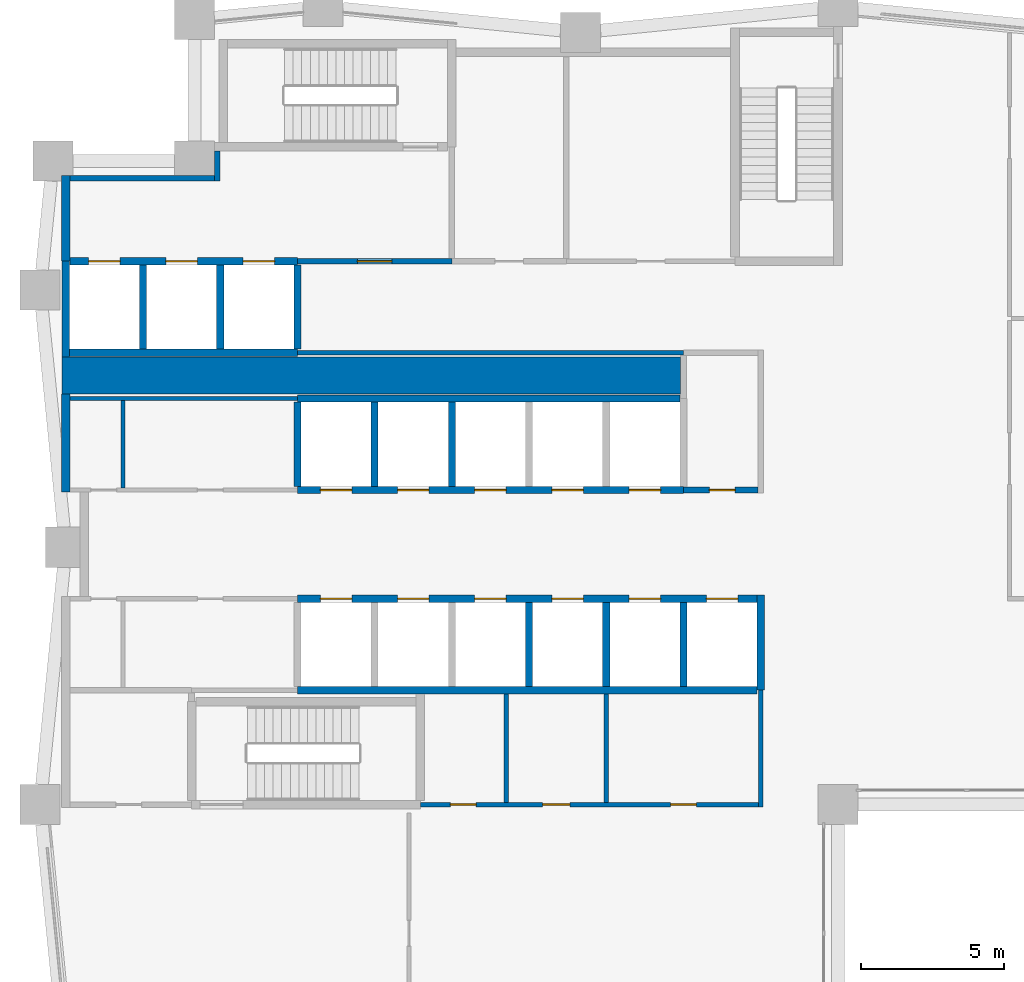
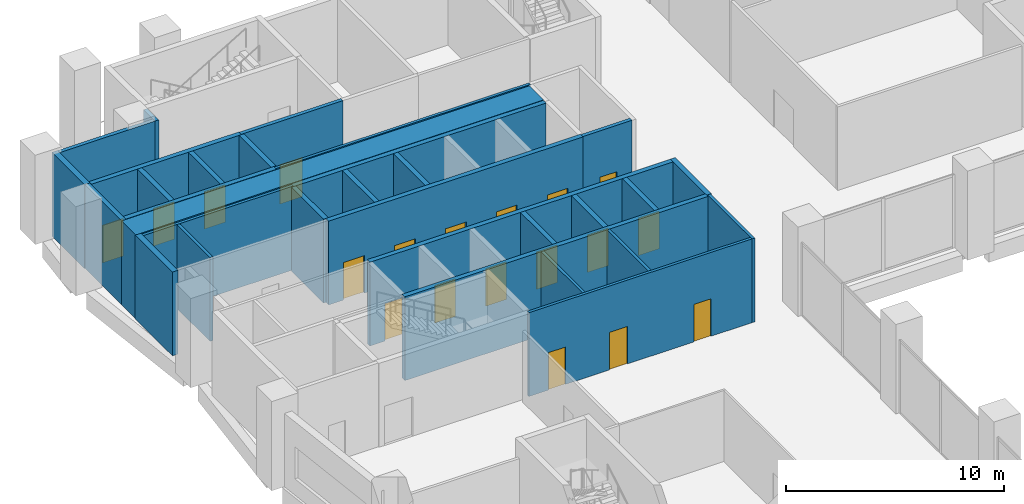
# One storey, part 11 of 17: 31 walls, 19 doors, 19 openings.
"""IFC4 building model written with IfcOpenShell, lengths in metres."""

import ifcopenshell
import ifcopenshell.guid

model = None  # the IFC model being written
_history = None  # IfcOwnerHistory: only IFC2X3 demands one
_inside = {}  # id of a spatial element -> (the spatial element, [elements in it])
_under = {}  # id of a project, library or spatial element -> (it, [spatial elements below it])
_declared = {}  # id of a project -> (the project, [libraries it declares])
_typed = {}  # id of a type object -> (the type object, [elements of that type])
_made_of = {}  # id of a material, layer set ... -> (it, [elements and type objects made of it])


def new_model(schema):
    """Start an empty IFC model of exactly this schema.

    Asked for "IFC4X3", IfcOpenShell would pick the latest addendum, in which some entities
    have other attributes; the version numbers below select the first issue.
    IFC2X3 requires an IfcOwnerHistory on every rooted entity: one is made here for all.
    """
    global model, _history
    if schema == "IFC4X3":
        model = ifcopenshell.file(schema_version=(4, 3, 0, 0))
    else:
        model = ifcopenshell.file(schema=schema)
    _inside.clear()
    _under.clear()
    _declared.clear()
    _typed.clear()
    _made_of.clear()
    _history = None
    if model.schema == "IFC2X3":
        org = make("IfcOrganization", Name="unknown")
        user = make(
            "IfcPersonAndOrganization",
            ThePerson=make("IfcPerson", FamilyName="unknown"),
            TheOrganization=org,
        )
        app = make(
            "IfcApplication",
            ApplicationDeveloper=org,
            Version="unknown",
            ApplicationFullName="unknown",
            ApplicationIdentifier="unknown",
        )
        _history = make(
            "IfcOwnerHistory",
            OwningUser=user,
            OwningApplication=app,
            ChangeAction="ADDED",
            CreationDate=0,
        )
    return model


def make(cls, **values):
    """One entity of the class cls with the attributes given. An attribute that is None is left unset."""
    return model.create_entity(
        cls, **{name: value for name, value in values.items() if value is not None}
    )


def rooted(cls, **values):
    """An entity with a GlobalId (a new one), such as an element, a storey or a relation."""
    return make(cls, GlobalId=ifcopenshell.guid.new(), OwnerHistory=_history, **values)


def si_unit(unit_type, name, prefix=None):
    """IfcSIUnit, for example si_unit("LENGTHUNIT", "METRE", prefix="MILLI")."""
    return make("IfcSIUnit", UnitType=unit_type, Prefix=prefix, Name=name)


def assignment(units):
    """IfcUnitAssignment: the units of a project."""
    return None if units is None else make("IfcUnitAssignment", Units=units)


def point(xyz):
    """IfcCartesianPoint."""
    return None if xyz is None else make("IfcCartesianPoint", Coordinates=xyz)


def direction(xyz):
    """IfcDirection."""
    return None if xyz is None else make("IfcDirection", DirectionRatios=xyz)


def frame(location, z_axis=None, x_axis=None):
    """IfcAxis2Placement3D, a coordinate frame: its origin and axes. An axis left out is left unset."""
    return make(
        "IfcAxis2Placement3D",
        Location=point(location),
        Axis=direction(z_axis),
        RefDirection=direction(x_axis),
    )


def frame_2d(location, x_axis=None):
    """IfcAxis2Placement2D, a coordinate frame in the plane: its origin and x axis."""
    return make(
        "IfcAxis2Placement2D", Location=point(location), RefDirection=direction(x_axis)
    )


def origin():
    """The frame at (0, 0, 0) with its axes left unset."""
    return frame((0.0, 0.0, 0.0))


def place(relative_to, where):
    """IfcLocalPlacement: puts the frame where relative to a parent placement (None: the world)."""
    return make(
        "IfcLocalPlacement", PlacementRelTo=relative_to, RelativePlacement=where
    )


def context(
    kind, dimensions, precision=None, world=None, true_north=None, identifier=None
):
    """IfcGeometricRepresentationContext, for example the 3D "Model" context."""
    return make(
        "IfcGeometricRepresentationContext",
        ContextIdentifier=identifier,
        ContextType=kind,
        CoordinateSpaceDimension=dimensions,
        Precision=precision,
        WorldCoordinateSystem=world,
        TrueNorth=true_north,
    )


def subcontext(parent, identifier, kind, view, scale=None):
    """IfcGeometricRepresentationSubContext, for example "Body" below "Model"."""
    return make(
        "IfcGeometricRepresentationSubContext",
        ContextIdentifier=identifier,
        ContextType=kind,
        ParentContext=parent,
        TargetScale=scale,
        TargetView=view,
    )


def project(units=None, contexts=None):
    """IfcProject with its units and contexts."""
    return rooted(
        "IfcProject",
        Name="project",
        RepresentationContexts=contexts,
        UnitsInContext=assignment(units),
    )


def spatial(cls, under=None, at=None, **own):
    """A site, building, storey or space (cls), placed at a placement, below another one or the project."""
    s = rooted(cls, ObjectPlacement=at, **own)
    if under is not None:
        _under.setdefault(under.id(), (under, []))[1].append(s)
    return s


def profile(cls, at=None, kind="AREA", **sizes):
    """A parametric profile (cls). Its sizes go by their IFC names, for example OverallWidth=200.0."""
    return make(cls, ProfileType=kind, Position=at, **sizes)


def rectangle(**sizes):
    """IfcRectangleProfileDef."""
    return profile("IfcRectangleProfileDef", **sizes)


def extrude(swept, where, along, depth):
    """IfcExtrudedAreaSolid: the profile swept, set in the frame where, extruded along a direction by depth."""
    return make(
        "IfcExtrudedAreaSolid",
        SweptArea=swept,
        Position=where,
        ExtrudedDirection=direction(along),
        Depth=depth,
    )


def shape(context_of_items, identifier, shape_type, items):
    """IfcShapeRepresentation: the items that make up one representation, for example the "Body"."""
    return make(
        "IfcShapeRepresentation",
        ContextOfItems=context_of_items,
        RepresentationIdentifier=identifier,
        RepresentationType=shape_type,
        Items=items,
    )


def material(Name=None, Category=None):
    """IfcMaterial."""
    return make("IfcMaterial", Name=Name, Category=Category)


def layer(
    of_material, thickness, ventilated=None, Name=None, Category=None, Priority=None
):
    """IfcMaterialLayer: one layer of a wall or slab, of a material (None: an air gap)."""
    return make(
        "IfcMaterialLayer",
        Material=of_material,
        LayerThickness=thickness,
        IsVentilated=ventilated,
        Name=Name,
        Category=Category,
        Priority=Priority,
    )


def layer_set(layers, Name=None):
    """IfcMaterialLayerSet."""
    return make("IfcMaterialLayerSet", MaterialLayers=layers, LayerSetName=Name)


def made_of(thing, what):
    """Note that an element or type object is made of a material, layer set ...; save() writes the relation."""
    if what is not None:
        _made_of.setdefault(what.id(), (what, []))[1].append(thing)
    return thing


def type_object(cls, material=None, **own):
    """A type object (cls), such as IfcWallType, which elements share."""
    return made_of(rooted(cls, **own), material)


def element(
    cls,
    number,
    at=None,
    inside=None,
    cuts=None,
    type_object=None,
    material=None,
    context=None,
    identifier="Body",
    shape_type=None,
    held_by="IfcProductDefinitionShape",
    body=None,
    shapes=None,
    **own,
):
    """One element of the class cls, such as IfcWall. Its Tag is "e" and its number.

    at: its placement. inside: the storey or other place that contains it. cuts: it is an
    opening in that element (IfcRelVoidsElement). A single representation is given by context,
    identifier, shape_type and body (its items); several are given by shapes. held_by: the class
    of the entity that holds the representations. save() writes the other relations.
    """
    e = rooted(cls, Tag="e%d" % number, ObjectPlacement=at, **own)
    if body is not None:
        shapes = [shape(context, identifier, shape_type, body)]
    if shapes is not None:
        e.Representation = make(held_by, Representations=shapes)
    if inside is not None:
        _inside.setdefault(inside.id(), (inside, []))[1].append(e)
    if cuts is not None:
        rooted(
            "IfcRelVoidsElement", RelatingBuildingElement=cuts, RelatedOpeningElement=e
        )
    if type_object is not None:
        _typed.setdefault(type_object.id(), (type_object, []))[1].append(e)
    return made_of(e, material)


def fill(opening, filler):
    """IfcRelFillsElement: the door or window that sits in an opening."""
    return rooted(
        "IfcRelFillsElement",
        RelatingOpeningElement=opening,
        RelatedBuildingElement=filler,
    )


def aggregate(whole, parts):
    """IfcRelAggregates: a whole, such as a stair, and the parts it consists of."""
    return rooted("IfcRelAggregates", RelatingObject=whole, RelatedObjects=parts)


def save(model, path):
    """Write the relations noted so far, then the file.

    IfcRelAggregates (storeys below a building ...), IfcRelContainedInSpatialStructure (elements
    in a storey), IfcRelDefinesByType, IfcRelAssociatesMaterial and IfcRelDeclares: one each for
    every whole, place, type object, material and project.
    """
    for whole, parts in _under.values():
        aggregate(whole, parts)
    for where, things in _inside.values():
        rooted(
            "IfcRelContainedInSpatialStructure",
            RelatedElements=things,
            RelatingStructure=where,
        )
    for kind, things in _typed.values():
        rooted("IfcRelDefinesByType", RelatedObjects=things, RelatingType=kind)
    for what, things in _made_of.values():
        rooted("IfcRelAssociatesMaterial", RelatedObjects=things, RelatingMaterial=what)
    for by, libraries in _declared.values():
        rooted("IfcRelDeclares", RelatingContext=by, RelatedDefinitions=libraries)
    model.write(path)


model = new_model("IFC4")

# Units and contexts
model_context = context("Model", 3, precision=1e-05, world=origin(), true_north=direction((0.0, 1.0)))
body_context = subcontext(model_context, "Body", "Model", "MODEL_VIEW")
ifc_project = project(units=[si_unit("LENGTHUNIT", "METRE"), si_unit("AREAUNIT", "SQUARE_METRE"), si_unit("VOLUMEUNIT", "CUBIC_METRE"), si_unit("PLANEANGLEUNIT", "RADIAN"), si_unit("MASSUNIT", "GRAM", prefix="KILO")], contexts=[model_context])

# Site, building, storey
site_placement = place(None, origin())
site = spatial("IfcSite", under=ifc_project, at=site_placement, CompositionType="ELEMENT")
building_placement = place(site_placement, origin())
building = spatial("IfcBuilding", under=site, at=building_placement, Name="Brondeck Convention Tower", CompositionType="ELEMENT")
storey_placement = place(building_placement, frame((0.0, 0.0, 14.5)))
storey = spatial("IfcBuildingStorey", under=building, at=storey_placement, Name="L02", CompositionType="ELEMENT", Elevation=14.5)

# Wall, openings, doors
ifc_material_1 = material(Name="Concrete C80/95", Category="concrete")
ifc_layer_1 = layer(ifc_material_1, 0.14990234375)
ifc_layer_set_1 = layer_set([ifc_layer_1], Name="Core beam-seat wall 150 Concrete C80/95")
wall_type_1 = type_object("IfcWallType", Name="Core beam-seat wall 150 Concrete C80/95", PredefinedType="SHEAR", material=ifc_layer_set_1)
wall_1_placement = place(storey_placement, frame((12.39990234375, 36.0, 0.0), z_axis=(0.0, 0.0, 1.0), x_axis=(1.0, 0.0, 0.0)))
wall_1 = element("IfcWall", 1, at=wall_1_placement, inside=storey, type_object=wall_type_1, Name="L02 core wall", PredefinedType="SHEAR", context=body_context, shape_type="SweptSolid", body=[
    extrude(rectangle(XDim=11.8251953125, YDim=0.14990234375, at=frame_2d((5.91259765625, 0.0))), origin(), (0.0, 0.0, 1.0), 4.699951171875),
])
opening_1_placement = place(wall_1_placement, frame((1.050048828125, 0.0, 0.0)))
opening_1 = element("IfcOpeningElement", 2, at=opening_1_placement, cuts=wall_1, Name="Opening C04-03", PredefinedType="OPENING", context=body_context, shape_type="SweptSolid", body=[
    extrude(rectangle(XDim=0.89990234375, YDim=2.10009765625, at=frame_2d((0.449951171875, 1.050048828125))), frame((0.0, 0.0849609375, 0.0), z_axis=(0.0, -1.0, 0.0), x_axis=(1.0, 0.0, 0.0)), (0.0, 0.0, 1.0), 0.169921875),
])
opening_2_placement = place(wall_1_placement, frame((4.27490234375, 0.0, 0.0)))
opening_2 = element("IfcOpeningElement", 3, at=opening_2_placement, cuts=wall_1, Name="Opening C04-04", PredefinedType="OPENING", context=body_context, shape_type="SweptSolid", body=[
    extrude(rectangle(XDim=0.949951171875, YDim=2.10009765625, at=frame_2d((0.47509765625, 1.050048828125))), frame((0.0, 0.0849609375, 0.0), z_axis=(0.0, -1.0, 0.0), x_axis=(1.0, 0.0, 0.0)), (0.0, 0.0, 1.0), 0.169921875),
])
opening_3_placement = place(wall_1_placement, frame((8.75, 0.0, 0.0)))
opening_3 = element("IfcOpeningElement", 4, at=opening_3_placement, cuts=wall_1, Name="Opening C04-05", PredefinedType="OPENING", context=body_context, shape_type="SweptSolid", body=[
    extrude(rectangle(XDim=0.89990234375, YDim=2.10009765625, at=frame_2d((0.449951171875, 1.050048828125))), frame((0.0, 0.0849609375, 0.0), z_axis=(0.0, -1.0, 0.0), x_axis=(1.0, 0.0, 0.0)), (0.0, 0.0, 1.0), 0.169921875),
])
ifc_material_2 = material(Name="Steel fire door", Category="steel")
door_type_1 = type_object("IfcDoorType", Name="Room door 900x2100 EI 60", OperationType="NOTDEFINED", PredefinedType="DOOR", material=ifc_material_2)
door_1_placement = place(opening_1_placement, origin())
door_1 = element("IfcDoor", 5, at=door_1_placement, inside=storey, type_object=door_type_1, Name="L02 Room door FR-1", OperationType="SINGLE_SWING_RIGHT", OverallHeight=2.10009765625, OverallWidth=0.89990234375, PredefinedType="DOOR", context=body_context, shape_type="SweptSolid", body=[
    extrude(rectangle(XDim=0.89990234375, YDim=2.10009765625, at=frame_2d((0.449951171875, 1.050048828125))), frame((0.0, 0.02490234375, 0.0), z_axis=(0.0, -1.0, 0.0), x_axis=(1.0, 0.0, 0.0)), (0.0, 0.0, 1.0), 0.050048828125),
])
fill(opening_1, door_1)
door_2_placement = place(opening_3_placement, origin())
door_2 = element("IfcDoor", 6, at=door_2_placement, inside=storey, type_object=door_type_1, Name="L02 Room door FR-3", OperationType="SINGLE_SWING_RIGHT", OverallHeight=2.10009765625, OverallWidth=0.89990234375, PredefinedType="DOOR", context=body_context, shape_type="SweptSolid", body=[
    extrude(rectangle(XDim=0.89990234375, YDim=2.10009765625, at=frame_2d((0.449951171875, 1.050048828125))), frame((0.0, 0.02490234375, 0.0), z_axis=(0.0, -1.0, 0.0), x_axis=(1.0, 0.0, 0.0)), (0.0, 0.0, 1.0), 0.050048828125),
])
fill(opening_3, door_2)
door_type_2 = type_object("IfcDoorType", Name="Room door 950x2100 EI 60", OperationType="NOTDEFINED", PredefinedType="DOOR", material=ifc_material_2)
door_3_placement = place(opening_2_placement, origin())
door_3 = element("IfcDoor", 7, at=door_3_placement, inside=storey, type_object=door_type_2, Name="L02 Room door FR-2", OperationType="SINGLE_SWING_LEFT", OverallHeight=2.10009765625, OverallWidth=0.949951171875, PredefinedType="DOOR", context=body_context, shape_type="SweptSolid", body=[
    extrude(rectangle(XDim=0.949951171875, YDim=2.10009765625, at=frame_2d((0.47509765625, 1.050048828125))), frame((0.0, 0.02490234375, 0.0), z_axis=(0.0, -1.0, 0.0), x_axis=(1.0, 0.0, 0.0)), (0.0, 0.0, 1.0), 0.050048828125),
])
fill(opening_2, door_3)

# Walls
wall_2_placement = place(storey_placement, frame((24.300048828125, 35.925048828125, 0.0), z_axis=(0.0, 0.0, 1.0), x_axis=(0.0, 1.0, 0.0)))
element("IfcWall", 8, at=wall_2_placement, inside=storey, type_object=wall_type_1, Name="L02 core wall", PredefinedType="SHEAR", context=body_context, shape_type="SweptSolid", body=[
    extrude(rectangle(XDim=4.074951171875, YDim=0.14990234375, at=frame_2d((2.03759765625, 0.0))), origin(), (0.0, 0.0, 1.0), 4.699951171875),
])
ifc_layer_2 = layer(ifc_material_1, 0.300048828125)
ifc_layer_set_2 = layer_set([ifc_layer_2], Name="Core outer wall 300 Concrete C80/95")
wall_type_2 = type_object("IfcWallType", Name="Core outer wall 300 Concrete C80/95", PredefinedType="SHEAR", material=ifc_layer_set_2)
wall_3_placement = place(storey_placement, frame((0.0, 46.925048828125, 0.0), z_axis=(0.0, 0.0, 1.0), x_axis=(0.0, 1.0, 0.0)))
element("IfcWall", 9, at=wall_3_placement, inside=storey, type_object=wall_type_2, Name="L02 core wall", PredefinedType="SHEAR", context=body_context, shape_type="SweptSolid", body=[
    extrude(rectangle(XDim=3.425048828125, YDim=0.300048828125, at=frame_2d((1.71240234375, 0.0))), origin(), (0.0, 0.0, 1.0), 4.699951171875),
])
wall_4_placement = place(storey_placement, frame((0.0, 55.0, 0.0), z_axis=(0.0, 0.0, 1.0), x_axis=(0.0, 1.0, 0.0)))
element("IfcWall", 10, at=wall_4_placement, inside=storey, type_object=wall_type_2, Name="L02 core wall", PredefinedType="SHEAR", context=body_context, shape_type="SweptSolid", body=[
    extrude(rectangle(XDim=3.0, YDim=0.300048828125, at=frame_2d((1.5, 0.0))), origin(), (0.0, 0.0, 1.0), 4.699951171875),
])
ifc_material_3 = material(Name="Fire-rated gypsum board partition")
ifc_layer_3 = layer(ifc_material_3, 0.14990234375)
ifc_layer_set_3 = layer_set([ifc_layer_3], Name="Core partition 150 EI 60")
wall_type_3 = type_object("IfcWallType", Name="Core partition 150 EI 60", PredefinedType="PARTITIONING", material=ifc_layer_set_3)
wall_5_placement = place(storey_placement, frame((0.14990234375, 50.199951171875, 0.0), z_axis=(0.0, 0.0, 1.0), x_axis=(1.0, 0.0, 0.0)))
element("IfcWall", 11, at=wall_5_placement, inside=storey, type_object=wall_type_3, Name="L02 core wall", PredefinedType="PARTITIONING", context=body_context, shape_type="SweptSolid", body=[
    extrude(rectangle(XDim=7.9501953125, YDim=0.14990234375, at=frame_2d((3.97509765625, 0.0))), origin(), (0.0, 0.0, 1.0), 4.699951171875),
])
wall_6_placement = place(storey_placement, frame((8.10009765625, 51.800048828125, 0.0), z_axis=(0.0, 0.0, 1.0), x_axis=(1.0, 0.0, 0.0)))
element("IfcWall", 12, at=wall_6_placement, inside=storey, type_object=wall_type_3, Name="L02 core wall", PredefinedType="PARTITIONING", context=body_context, shape_type="SweptSolid", body=[
    extrude(rectangle(XDim=13.5, YDim=0.14990234375, at=frame_2d((6.75, 0.0))), origin(), (0.0, 0.0, 1.0), 4.699951171875),
])
wall_7_placement = place(storey_placement, frame((2.0, 47.074951171875, 0.0), z_axis=(0.0, 0.0, 1.0), x_axis=(0.0, 1.0, 0.0)))
element("IfcWall", 13, at=wall_7_placement, inside=storey, type_object=wall_type_3, Name="L02 core wall", PredefinedType="PARTITIONING", context=body_context, shape_type="SweptSolid", body=[
    extrude(rectangle(XDim=3.050048828125, YDim=0.14990234375, at=frame_2d((1.52490234375, 0.0))), origin(), (0.0, 0.0, 1.0), 4.699951171875),
])
for number, where, z_axis, x_axis, name in (
    (14, (15.39990234375, 36.074951171875, 0.0), (0.0, 0.0, 1.0), (0.0, 1.0, 0.0), "L02 core wall"),
    (15, (18.89990234375, 36.074951171875, 0.0), (0.0, 0.0, 1.0), (0.0, 1.0, 0.0), "L02 core wall"),
):
    element("IfcWall", number, at=place(storey_placement, frame(where, z_axis=z_axis, x_axis=x_axis)), inside=storey, type_object=wall_type_3, Name=name, PredefinedType="PARTITIONING", context=body_context, shape_type="SweptSolid", body=[
        extrude(rectangle(XDim=3.800048828125, YDim=0.14990234375, at=frame_2d((1.89990234375, 0.0))), origin(), (0.0, 0.0, 1.0), 4.699951171875),
    ])
ifc_layer_4 = layer(ifc_material_1, 1.300048828125)
ifc_layer_set_4 = layer_set([ifc_layer_4], Name="Core shear wall 1300 Concrete C80/95")
wall_type_4 = type_object("IfcWallType", Name="Core shear wall 1300 Concrete C80/95", PredefinedType="SHEAR", material=ifc_layer_set_4)
wall_8_placement = place(storey_placement, frame((-0.125, 51.0, 0.0), z_axis=(0.0, 0.0, 1.0), x_axis=(1.0, 0.0, 0.0)))
element("IfcWall", 16, at=wall_8_placement, inside=storey, type_object=wall_type_4, Name="L02 core wall", PredefinedType="SHEAR", context=body_context, shape_type="SweptSolid", body=[
    extrude(rectangle(XDim=21.625, YDim=1.300048828125, at=frame_2d((10.8125, 0.0))), origin(), (0.0, 0.0, 1.0), 4.699951171875),
])

# Wall, opening, door
ifc_layer_5 = layer(ifc_material_3, 0.199951171875)
ifc_layer_set_5 = layer_set([ifc_layer_5], Name="Firefighting lobby wall 200 EI 120")
wall_type_5 = type_object("IfcWallType", Name="Firefighting lobby wall 200 EI 120", PredefinedType="PARTITIONING", material=ifc_layer_set_5)
wall_9_placement = place(storey_placement, frame((8.10009765625, 55.0, 0.0), z_axis=(0.0, 0.0, 1.0), x_axis=(1.0, 0.0, 0.0)))
wall_9 = element("IfcWall", 17, at=wall_9_placement, inside=storey, type_object=wall_type_5, Name="L02 core wall", PredefinedType="PARTITIONING", context=body_context, shape_type="SweptSolid", body=[
    extrude(rectangle(XDim=5.39990234375, YDim=0.199951171875, at=frame_2d((2.699951171875, 0.0))), origin(), (0.0, 0.0, 1.0), 4.699951171875),
])
opening_4_placement = place(wall_9_placement, frame((2.10009765625, 0.0, 0.0)))
opening_4 = element("IfcOpeningElement", 18, at=opening_4_placement, cuts=wall_9, Name="Opening C04-01", PredefinedType="OPENING", context=body_context, shape_type="SweptSolid", body=[
    extrude(rectangle(XDim=1.199951171875, YDim=2.199951171875, at=frame_2d((0.60009765625, 1.10009765625))), frame((0.0, 0.10986328125, 0.0), z_axis=(0.0, -1.0, 0.0), x_axis=(1.0, 0.0, 0.0)), (0.0, 0.0, 1.0), 0.219970703125),
])
door_type_3 = type_object("IfcDoorType", Name="Firefighting lobby door 1200x2200 EI 120", OperationType="NOTDEFINED", PredefinedType="DOOR", material=ifc_material_2)
door_4_placement = place(opening_4_placement, origin())
door_4 = element("IfcDoor", 19, at=door_4_placement, inside=storey, type_object=door_type_3, Name="L02 Firefighting lobby door FFL-1", OperationType="SINGLE_SWING_RIGHT", OverallHeight=2.199951171875, OverallWidth=1.199951171875, PredefinedType="DOOR", context=body_context, shape_type="SweptSolid", body=[
    extrude(rectangle(XDim=1.199951171875, YDim=2.199951171875, at=frame_2d((0.60009765625, 1.10009765625))), frame((0.0, 0.02490234375, 0.0), z_axis=(0.0, -1.0, 0.0), x_axis=(1.0, 0.0, 0.0)), (0.0, 0.0, 1.0), 0.050048828125),
])
fill(opening_4, door_4)

# Walls
wall_10_placement = place(storey_placement, frame((0.14990234375, 57.89990234375, 0.0), z_axis=(0.0, 0.0, 1.0), x_axis=(1.0, 0.0, 0.0)))
element("IfcWall", 20, at=wall_10_placement, inside=storey, type_object=wall_type_5, Name="L02 core wall", PredefinedType="PARTITIONING", context=body_context, shape_type="SweptSolid", body=[
    extrude(rectangle(XDim=5.050048828125, YDim=0.199951171875, at=frame_2d((2.52490234375, 0.0))), origin(), (0.0, 0.0, 1.0), 4.699951171875),
])
wall_11_placement = place(storey_placement, frame((5.300048828125, 57.800048828125, 0.0), z_axis=(0.0, 0.0, 1.0), x_axis=(0.0, 1.0, 0.0)))
element("IfcWall", 21, at=wall_11_placement, inside=storey, type_object=wall_type_5, Name="L02 core wall", PredefinedType="PARTITIONING", context=body_context, shape_type="SweptSolid", body=[
    extrude(rectangle(XDim=1.050048828125, YDim=0.199951171875, at=frame_2d((0.52490234375, 0.0))), origin(), (0.0, 0.0, 1.0), 4.699951171875),
])
ifc_layer_6 = layer(ifc_material_1, 0.25)
ifc_layer_set_6 = layer_set([ifc_layer_6], Name="Lift shaft wall 250 Concrete C80/95")
wall_type_6 = type_object("IfcWallType", Name="Lift shaft wall 250 Concrete C80/95", PredefinedType="SHEAR", material=ifc_layer_set_6)
wall_12_placement = place(storey_placement, frame((8.10009765625, 40.0, 0.0), z_axis=(0.0, 0.0, 1.0), x_axis=(1.0, 0.0, 0.0)))
element("IfcWall", 22, at=wall_12_placement, inside=storey, type_object=wall_type_6, Name="L02 core wall", PredefinedType="SHEAR", context=body_context, shape_type="SweptSolid", body=[
    extrude(rectangle(XDim=16.074951171875, YDim=0.25, at=frame_2d((8.03759765625, 0.0))), origin(), (0.0, 0.0, 1.0), 4.699951171875),
])

# Wall, openings, doors
wall_13_placement = place(storey_placement, frame((8.10009765625, 43.199951171875, 0.0), z_axis=(0.0, 0.0, 1.0), x_axis=(1.0, 0.0, 0.0)))
wall_13 = element("IfcWall", 23, at=wall_13_placement, inside=storey, type_object=wall_type_6, Name="L02 core wall", PredefinedType="SHEAR", context=body_context, shape_type="SweptSolid", body=[
    extrude(rectangle(XDim=16.074951171875, YDim=0.25, at=frame_2d((8.03759765625, 0.0))), origin(), (0.0, 0.0, 1.0), 4.699951171875),
])
opening_5_placement = place(wall_13_placement, frame((14.300048828125, 0.0, 0.0)))
opening_5 = element("IfcOpeningElement", 24, at=opening_5_placement, cuts=wall_13, Name="Opening C04-25", PredefinedType="OPENING", context=body_context, shape_type="SweptSolid", body=[
    extrude(rectangle(XDim=1.10009765625, YDim=2.10009765625, at=frame_2d((0.550048828125, 1.050048828125))), frame((0.0, 0.135009765625, 0.0), z_axis=(0.0, -1.0, 0.0), x_axis=(1.0, 0.0, 0.0)), (0.0, 0.0, 1.0), 0.27001953125),
])
opening_6_placement = place(wall_13_placement, frame((0.800048828125, 0.0, 0.0)))
opening_6 = element("IfcOpeningElement", 25, at=opening_6_placement, cuts=wall_13, Name="Opening C04-26", PredefinedType="OPENING", context=body_context, shape_type="SweptSolid", body=[
    extrude(rectangle(XDim=1.10009765625, YDim=2.10009765625, at=frame_2d((0.550048828125, 1.050048828125))), frame((0.0, 0.135009765625, 0.0), z_axis=(0.0, -1.0, 0.0), x_axis=(1.0, 0.0, 0.0)), (0.0, 0.0, 1.0), 0.27001953125),
])
opening_7_placement = place(wall_13_placement, frame((3.5, 0.0, 0.0)))
opening_7 = element("IfcOpeningElement", 26, at=opening_7_placement, cuts=wall_13, Name="Opening C04-27", PredefinedType="OPENING", context=body_context, shape_type="SweptSolid", body=[
    extrude(rectangle(XDim=1.10009765625, YDim=2.10009765625, at=frame_2d((0.550048828125, 1.050048828125))), frame((0.0, 0.135009765625, 0.0), z_axis=(0.0, -1.0, 0.0), x_axis=(1.0, 0.0, 0.0)), (0.0, 0.0, 1.0), 0.27001953125),
])
opening_8_placement = place(wall_13_placement, frame((6.199951171875, 0.0, 0.0)))
opening_8 = element("IfcOpeningElement", 27, at=opening_8_placement, cuts=wall_13, Name="Opening C04-28", PredefinedType="OPENING", context=body_context, shape_type="SweptSolid", body=[
    extrude(rectangle(XDim=1.10009765625, YDim=2.10009765625, at=frame_2d((0.550048828125, 1.050048828125))), frame((0.0, 0.135009765625, 0.0), z_axis=(0.0, -1.0, 0.0), x_axis=(1.0, 0.0, 0.0)), (0.0, 0.0, 1.0), 0.27001953125),
])
opening_9_placement = place(wall_13_placement, frame((8.89990234375, 0.0, 0.0)))
opening_9 = element("IfcOpeningElement", 28, at=opening_9_placement, cuts=wall_13, Name="Opening C04-34", PredefinedType="OPENING", context=body_context, shape_type="SweptSolid", body=[
    extrude(rectangle(XDim=1.10009765625, YDim=2.10009765625, at=frame_2d((0.550048828125, 1.050048828125))), frame((0.0, 0.135009765625, 0.0), z_axis=(0.0, -1.0, 0.0), x_axis=(1.0, 0.0, 0.0)), (0.0, 0.0, 1.0), 0.27001953125),
])
opening_10_placement = place(wall_13_placement, frame((11.60009765625, 0.0, 0.0)))
opening_10 = element("IfcOpeningElement", 29, at=opening_10_placement, cuts=wall_13, Name="Opening C04-35", PredefinedType="OPENING", context=body_context, shape_type="SweptSolid", body=[
    extrude(rectangle(XDim=1.10009765625, YDim=2.10009765625, at=frame_2d((0.550048828125, 1.050048828125))), frame((0.0, 0.135009765625, 0.0), z_axis=(0.0, -1.0, 0.0), x_axis=(1.0, 0.0, 0.0)), (0.0, 0.0, 1.0), 0.27001953125),
])
ifc_material_4 = material(Name="Stainless steel lift door", Category="steel")
door_type_4 = type_object("IfcDoorType", Name="Lift landing door 1100x2100 EI 180", OperationType="DOUBLE_DOOR_SLIDING", PredefinedType="DOOR", material=ifc_material_4)
door_5_placement = place(opening_5_placement, origin())
door_5 = element("IfcDoor", 30, at=door_5_placement, inside=storey, type_object=door_type_4, Name="L02 Lift landing door HS1", OperationType="DOUBLE_DOOR_SLIDING", OverallHeight=2.10009765625, OverallWidth=1.10009765625, PredefinedType="DOOR", context=body_context, shape_type="SweptSolid", body=[
    extrude(rectangle(XDim=1.10009765625, YDim=2.10009765625, at=frame_2d((0.550048828125, 1.050048828125))), frame((0.0, 0.02490234375, 0.0), z_axis=(0.0, -1.0, 0.0), x_axis=(1.0, 0.0, 0.0)), (0.0, 0.0, 1.0), 0.050048828125),
])
fill(opening_5, door_5)
door_6_placement = place(opening_6_placement, origin())
door_6 = element("IfcDoor", 31, at=door_6_placement, inside=storey, type_object=door_type_4, Name="L02 Lift landing door LR1", OperationType="DOUBLE_DOOR_SLIDING", OverallHeight=2.10009765625, OverallWidth=1.10009765625, PredefinedType="DOOR", context=body_context, shape_type="SweptSolid", body=[
    extrude(rectangle(XDim=1.10009765625, YDim=2.10009765625, at=frame_2d((0.550048828125, 1.050048828125))), frame((0.0, 0.02490234375, 0.0), z_axis=(0.0, -1.0, 0.0), x_axis=(1.0, 0.0, 0.0)), (0.0, 0.0, 1.0), 0.050048828125),
])
fill(opening_6, door_6)
door_7_placement = place(opening_7_placement, origin())
door_7 = element("IfcDoor", 32, at=door_7_placement, inside=storey, type_object=door_type_4, Name="L02 Lift landing door LR2", OperationType="DOUBLE_DOOR_SLIDING", OverallHeight=2.10009765625, OverallWidth=1.10009765625, PredefinedType="DOOR", context=body_context, shape_type="SweptSolid", body=[
    extrude(rectangle(XDim=1.10009765625, YDim=2.10009765625, at=frame_2d((0.550048828125, 1.050048828125))), frame((0.0, 0.02490234375, 0.0), z_axis=(0.0, -1.0, 0.0), x_axis=(1.0, 0.0, 0.0)), (0.0, 0.0, 1.0), 0.050048828125),
])
fill(opening_7, door_7)
door_8_placement = place(opening_8_placement, origin())
door_8 = element("IfcDoor", 33, at=door_8_placement, inside=storey, type_object=door_type_4, Name="L02 Lift landing door LR3", OperationType="DOUBLE_DOOR_SLIDING", OverallHeight=2.10009765625, OverallWidth=1.10009765625, PredefinedType="DOOR", context=body_context, shape_type="SweptSolid", body=[
    extrude(rectangle(XDim=1.10009765625, YDim=2.10009765625, at=frame_2d((0.550048828125, 1.050048828125))), frame((0.0, 0.02490234375, 0.0), z_axis=(0.0, -1.0, 0.0), x_axis=(1.0, 0.0, 0.0)), (0.0, 0.0, 1.0), 0.050048828125),
])
fill(opening_8, door_8)
door_9_placement = place(opening_9_placement, origin())
door_9 = element("IfcDoor", 34, at=door_9_placement, inside=storey, type_object=door_type_4, Name="L02 Lift landing door SH1", OperationType="DOUBLE_DOOR_SLIDING", OverallHeight=2.10009765625, OverallWidth=1.10009765625, PredefinedType="DOOR", context=body_context, shape_type="SweptSolid", body=[
    extrude(rectangle(XDim=1.10009765625, YDim=2.10009765625, at=frame_2d((0.550048828125, 1.050048828125))), frame((0.0, 0.02490234375, 0.0), z_axis=(0.0, -1.0, 0.0), x_axis=(1.0, 0.0, 0.0)), (0.0, 0.0, 1.0), 0.050048828125),
])
fill(opening_9, door_9)
door_10_placement = place(opening_10_placement, origin())
door_10 = element("IfcDoor", 35, at=door_10_placement, inside=storey, type_object=door_type_4, Name="L02 Lift landing door SH2", OperationType="DOUBLE_DOOR_SLIDING", OverallHeight=2.10009765625, OverallWidth=1.10009765625, PredefinedType="DOOR", context=body_context, shape_type="SweptSolid", body=[
    extrude(rectangle(XDim=1.10009765625, YDim=2.10009765625, at=frame_2d((0.550048828125, 1.050048828125))), frame((0.0, 0.02490234375, 0.0), z_axis=(0.0, -1.0, 0.0), x_axis=(1.0, 0.0, 0.0)), (0.0, 0.0, 1.0), 0.050048828125),
])
fill(opening_10, door_10)

wall_14_placement = place(storey_placement, frame((8.10009765625, 47.0, 0.0), z_axis=(0.0, 0.0, 1.0), x_axis=(1.0, 0.0, 0.0)))
wall_14 = element("IfcWall", 36, at=wall_14_placement, inside=storey, type_object=wall_type_6, Name="L02 core wall", PredefinedType="SHEAR", context=body_context, shape_type="SweptSolid", body=[
    extrude(rectangle(XDim=13.5, YDim=0.25, at=frame_2d((6.75, 0.0))), origin(), (0.0, 0.0, 1.0), 4.699951171875),
])
opening_11_placement = place(wall_14_placement, frame((0.800048828125, 0.0, 0.0)))
opening_11 = element("IfcOpeningElement", 37, at=opening_11_placement, cuts=wall_14, Name="Opening C04-29", PredefinedType="OPENING", context=body_context, shape_type="SweptSolid", body=[
    extrude(rectangle(XDim=1.10009765625, YDim=2.10009765625, at=frame_2d((0.550048828125, 1.050048828125))), frame((0.0, 0.135009765625, 0.0), z_axis=(0.0, -1.0, 0.0), x_axis=(1.0, 0.0, 0.0)), (0.0, 0.0, 1.0), 0.27001953125),
])
opening_12_placement = place(wall_14_placement, frame((3.5, 0.0, 0.0)))
opening_12 = element("IfcOpeningElement", 38, at=opening_12_placement, cuts=wall_14, Name="Opening C04-30", PredefinedType="OPENING", context=body_context, shape_type="SweptSolid", body=[
    extrude(rectangle(XDim=1.10009765625, YDim=2.10009765625, at=frame_2d((0.550048828125, 1.050048828125))), frame((0.0, 0.135009765625, 0.0), z_axis=(0.0, -1.0, 0.0), x_axis=(1.0, 0.0, 0.0)), (0.0, 0.0, 1.0), 0.27001953125),
])
opening_13_placement = place(wall_14_placement, frame((6.199951171875, 0.0, 0.0)))
opening_13 = element("IfcOpeningElement", 39, at=opening_13_placement, cuts=wall_14, Name="Opening C04-31", PredefinedType="OPENING", context=body_context, shape_type="SweptSolid", body=[
    extrude(rectangle(XDim=1.10009765625, YDim=2.10009765625, at=frame_2d((0.550048828125, 1.050048828125))), frame((0.0, 0.135009765625, 0.0), z_axis=(0.0, -1.0, 0.0), x_axis=(1.0, 0.0, 0.0)), (0.0, 0.0, 1.0), 0.27001953125),
])
opening_14_placement = place(wall_14_placement, frame((8.89990234375, 0.0, 0.0)))
opening_14 = element("IfcOpeningElement", 40, at=opening_14_placement, cuts=wall_14, Name="Opening C04-32", PredefinedType="OPENING", context=body_context, shape_type="SweptSolid", body=[
    extrude(rectangle(XDim=1.10009765625, YDim=2.10009765625, at=frame_2d((0.550048828125, 1.050048828125))), frame((0.0, 0.135009765625, 0.0), z_axis=(0.0, -1.0, 0.0), x_axis=(1.0, 0.0, 0.0)), (0.0, 0.0, 1.0), 0.27001953125),
])
opening_15_placement = place(wall_14_placement, frame((11.60009765625, 0.0, 0.0)))
opening_15 = element("IfcOpeningElement", 41, at=opening_15_placement, cuts=wall_14, Name="Opening C04-33", PredefinedType="OPENING", context=body_context, shape_type="SweptSolid", body=[
    extrude(rectangle(XDim=1.10009765625, YDim=2.10009765625, at=frame_2d((0.550048828125, 1.050048828125))), frame((0.0, 0.135009765625, 0.0), z_axis=(0.0, -1.0, 0.0), x_axis=(1.0, 0.0, 0.0)), (0.0, 0.0, 1.0), 0.27001953125),
])
door_11_placement = place(opening_11_placement, origin())
door_11 = element("IfcDoor", 42, at=door_11_placement, inside=storey, type_object=door_type_4, Name="L02 Lift landing door LR4", OperationType="DOUBLE_DOOR_SLIDING", OverallHeight=2.10009765625, OverallWidth=1.10009765625, PredefinedType="DOOR", context=body_context, shape_type="SweptSolid", body=[
    extrude(rectangle(XDim=1.10009765625, YDim=2.10009765625, at=frame_2d((0.550048828125, 1.050048828125))), frame((0.0, 0.02490234375, 0.0), z_axis=(0.0, -1.0, 0.0), x_axis=(1.0, 0.0, 0.0)), (0.0, 0.0, 1.0), 0.050048828125),
])
fill(opening_11, door_11)
door_12_placement = place(opening_12_placement, origin())
door_12 = element("IfcDoor", 43, at=door_12_placement, inside=storey, type_object=door_type_4, Name="L02 Lift landing door LR5", OperationType="DOUBLE_DOOR_SLIDING", OverallHeight=2.10009765625, OverallWidth=1.10009765625, PredefinedType="DOOR", context=body_context, shape_type="SweptSolid", body=[
    extrude(rectangle(XDim=1.10009765625, YDim=2.10009765625, at=frame_2d((0.550048828125, 1.050048828125))), frame((0.0, 0.02490234375, 0.0), z_axis=(0.0, -1.0, 0.0), x_axis=(1.0, 0.0, 0.0)), (0.0, 0.0, 1.0), 0.050048828125),
])
fill(opening_12, door_12)
door_13_placement = place(opening_13_placement, origin())
door_13 = element("IfcDoor", 44, at=door_13_placement, inside=storey, type_object=door_type_4, Name="L02 Lift landing door LR6", OperationType="DOUBLE_DOOR_SLIDING", OverallHeight=2.10009765625, OverallWidth=1.10009765625, PredefinedType="DOOR", context=body_context, shape_type="SweptSolid", body=[
    extrude(rectangle(XDim=1.10009765625, YDim=2.10009765625, at=frame_2d((0.550048828125, 1.050048828125))), frame((0.0, 0.02490234375, 0.0), z_axis=(0.0, -1.0, 0.0), x_axis=(1.0, 0.0, 0.0)), (0.0, 0.0, 1.0), 0.050048828125),
])
fill(opening_13, door_13)
door_14_placement = place(opening_14_placement, origin())
door_14 = element("IfcDoor", 45, at=door_14_placement, inside=storey, type_object=door_type_4, Name="L02 Lift landing door PL1", OperationType="DOUBLE_DOOR_SLIDING", OverallHeight=2.10009765625, OverallWidth=1.10009765625, PredefinedType="DOOR", context=body_context, shape_type="SweptSolid", body=[
    extrude(rectangle(XDim=1.10009765625, YDim=2.10009765625, at=frame_2d((0.550048828125, 1.050048828125))), frame((0.0, 0.02490234375, 0.0), z_axis=(0.0, -1.0, 0.0), x_axis=(1.0, 0.0, 0.0)), (0.0, 0.0, 1.0), 0.050048828125),
])
fill(opening_14, door_14)
door_15_placement = place(opening_15_placement, origin())
door_15 = element("IfcDoor", 46, at=door_15_placement, inside=storey, type_object=door_type_4, Name="L02 Lift landing door PL2", OperationType="DOUBLE_DOOR_SLIDING", OverallHeight=2.10009765625, OverallWidth=1.10009765625, PredefinedType="DOOR", context=body_context, shape_type="SweptSolid", body=[
    extrude(rectangle(XDim=1.10009765625, YDim=2.10009765625, at=frame_2d((0.550048828125, 1.050048828125))), frame((0.0, 0.02490234375, 0.0), z_axis=(0.0, -1.0, 0.0), x_axis=(1.0, 0.0, 0.0)), (0.0, 0.0, 1.0), 0.050048828125),
])
fill(opening_15, door_15)

# Walls
wall_15_placement = place(storey_placement, frame((8.10009765625, 50.199951171875, 0.0), z_axis=(0.0, 0.0, 1.0), x_axis=(1.0, 0.0, 0.0)))
element("IfcWall", 47, at=wall_15_placement, inside=storey, type_object=wall_type_6, Name="L02 core wall", PredefinedType="SHEAR", context=body_context, shape_type="SweptSolid", body=[
    extrude(rectangle(XDim=13.375, YDim=0.25, at=frame_2d((6.6875, 0.0))), origin(), (0.0, 0.0, 1.0), 4.699951171875),
])
wall_16_placement = place(storey_placement, frame((0.125, 51.800048828125, 0.0), z_axis=(0.0, 0.0, 1.0), x_axis=(1.0, 0.0, 0.0)))
element("IfcWall", 48, at=wall_16_placement, inside=storey, type_object=wall_type_6, Name="L02 core wall", PredefinedType="SHEAR", context=body_context, shape_type="SweptSolid", body=[
    extrude(rectangle(XDim=7.97509765625, YDim=0.25, at=frame_2d((3.987548828125, 0.0))), origin(), (0.0, 0.0, 1.0), 4.699951171875),
])

# Wall, openings, doors
wall_17_placement = place(storey_placement, frame((0.14990234375, 55.0, 0.0), z_axis=(0.0, 0.0, 1.0), x_axis=(1.0, 0.0, 0.0)))
wall_17 = element("IfcWall", 49, at=wall_17_placement, inside=storey, type_object=wall_type_6, Name="L02 core wall", PredefinedType="SHEAR", context=body_context, shape_type="SweptSolid", body=[
    extrude(rectangle(XDim=7.9501953125, YDim=0.25, at=frame_2d((3.97509765625, 0.0))), origin(), (0.0, 0.0, 1.0), 4.699951171875),
])
opening_16_placement = place(wall_17_placement, frame((0.64990234375, 0.0, 0.0)))
opening_16 = element("IfcOpeningElement", 50, at=opening_16_placement, cuts=wall_17, Name="Opening C04-22", PredefinedType="OPENING", context=body_context, shape_type="SweptSolid", body=[
    extrude(rectangle(XDim=1.10009765625, YDim=2.10009765625, at=frame_2d((0.550048828125, 1.050048828125))), frame((0.0, 0.135009765625, 0.0), z_axis=(0.0, -1.0, 0.0), x_axis=(1.0, 0.0, 0.0)), (0.0, 0.0, 1.0), 0.27001953125),
])
opening_17_placement = place(wall_17_placement, frame((3.35009765625, 0.0, 0.0)))
opening_17 = element("IfcOpeningElement", 51, at=opening_17_placement, cuts=wall_17, Name="Opening C04-23", PredefinedType="OPENING", context=body_context, shape_type="SweptSolid", body=[
    extrude(rectangle(XDim=1.10009765625, YDim=2.10009765625, at=frame_2d((0.550048828125, 1.050048828125))), frame((0.0, 0.135009765625, 0.0), z_axis=(0.0, -1.0, 0.0), x_axis=(1.0, 0.0, 0.0)), (0.0, 0.0, 1.0), 0.27001953125),
])
opening_18_placement = place(wall_17_placement, frame((6.050048828125, 0.0, 0.0)))
opening_18 = element("IfcOpeningElement", 52, at=opening_18_placement, cuts=wall_17, Name="Opening C04-24", PredefinedType="OPENING", context=body_context, shape_type="SweptSolid", body=[
    extrude(rectangle(XDim=1.10009765625, YDim=2.10009765625, at=frame_2d((0.550048828125, 1.050048828125))), frame((0.0, 0.135009765625, 0.0), z_axis=(0.0, -1.0, 0.0), x_axis=(1.0, 0.0, 0.0)), (0.0, 0.0, 1.0), 0.27001953125),
])
door_16_placement = place(opening_16_placement, origin())
door_16 = element("IfcDoor", 53, at=door_16_placement, inside=storey, type_object=door_type_4, Name="L02 Lift landing door FF1", OperationType="DOUBLE_DOOR_SLIDING", OverallHeight=2.10009765625, OverallWidth=1.10009765625, PredefinedType="DOOR", context=body_context, shape_type="SweptSolid", body=[
    extrude(rectangle(XDim=1.10009765625, YDim=2.10009765625, at=frame_2d((0.550048828125, 1.050048828125))), frame((0.0, 0.02490234375, 0.0), z_axis=(0.0, -1.0, 0.0), x_axis=(1.0, 0.0, 0.0)), (0.0, 0.0, 1.0), 0.050048828125),
])
fill(opening_16, door_16)
door_17_placement = place(opening_17_placement, origin())
door_17 = element("IfcDoor", 54, at=door_17_placement, inside=storey, type_object=door_type_4, Name="L02 Lift landing door FF2", OperationType="DOUBLE_DOOR_SLIDING", OverallHeight=2.10009765625, OverallWidth=1.10009765625, PredefinedType="DOOR", context=body_context, shape_type="SweptSolid", body=[
    extrude(rectangle(XDim=1.10009765625, YDim=2.10009765625, at=frame_2d((0.550048828125, 1.050048828125))), frame((0.0, 0.02490234375, 0.0), z_axis=(0.0, -1.0, 0.0), x_axis=(1.0, 0.0, 0.0)), (0.0, 0.0, 1.0), 0.050048828125),
])
fill(opening_17, door_17)
door_18_placement = place(opening_18_placement, origin())
door_18 = element("IfcDoor", 55, at=door_18_placement, inside=storey, type_object=door_type_4, Name="L02 Lift landing door FF3", OperationType="DOUBLE_DOOR_SLIDING", OverallHeight=2.10009765625, OverallWidth=1.10009765625, PredefinedType="DOOR", context=body_context, shape_type="SweptSolid", body=[
    extrude(rectangle(XDim=1.10009765625, YDim=2.10009765625, at=frame_2d((0.550048828125, 1.050048828125))), frame((0.0, 0.02490234375, 0.0), z_axis=(0.0, -1.0, 0.0), x_axis=(1.0, 0.0, 0.0)), (0.0, 0.0, 1.0), 0.050048828125),
])
fill(opening_18, door_18)

# Walls
wall_18_placement = place(storey_placement, frame((0.0, 51.64990234375, 0.0), z_axis=(0.0, 0.0, 1.0), x_axis=(0.0, 1.0, 0.0)))
element("IfcWall", 56, at=wall_18_placement, inside=storey, type_object=wall_type_6, Name="L02 core wall", PredefinedType="SHEAR", context=body_context, shape_type="SweptSolid", body=[
    extrude(rectangle(XDim=3.35009765625, YDim=0.25, at=frame_2d((1.675048828125, 0.0))), origin(), (0.0, 0.0, 1.0), 4.699951171875),
])
for number, where, z_axis, x_axis, name in (
    (57, (2.699951171875, 51.925048828125, 0.0), (0.0, 0.0, 1.0), (0.0, 1.0, 0.0), "L02 core wall"),
    (58, (5.39990234375, 51.925048828125, 0.0), (0.0, 0.0, 1.0), (0.0, 1.0, 0.0), "L02 core wall"),
    (59, (8.10009765625, 47.125, 0.0), (0.0, 0.0, 1.0), (0.0, 1.0, 0.0), "L02 core wall"),
    (60, (8.10009765625, 51.925048828125, 0.0), (0.0, 0.0, 1.0), (0.0, 1.0, 0.0), "L02 core wall"),
    (61, (10.800048828125, 47.125, 0.0), (0.0, 0.0, 1.0), (0.0, 1.0, 0.0), "L02 core wall"),
    (62, (13.5, 47.125, 0.0), (0.0, 0.0, 1.0), (0.0, 1.0, 0.0), "L02 core wall"),
    (63, (16.199951171875, 40.125, 0.0), (0.0, 0.0, 1.0), (0.0, 1.0, 0.0), "L02 core wall"),
    (64, (18.89990234375, 40.125, 0.0), (0.0, 0.0, 1.0), (0.0, 1.0, 0.0), "L02 core wall"),
    (65, (21.60009765625, 40.125, 0.0), (0.0, 0.0, 1.0), (0.0, 1.0, 0.0), "L02 core wall"),
):
    element("IfcWall", number, at=place(storey_placement, frame(where, z_axis=z_axis, x_axis=x_axis)), inside=storey, type_object=wall_type_6, Name=name, PredefinedType="SHEAR", context=body_context, shape_type="SweptSolid", body=[
        extrude(rectangle(XDim=2.949951171875, YDim=0.25, at=frame_2d((1.47509765625, 0.0))), origin(), (0.0, 0.0, 1.0), 4.699951171875),
    ])
wall_19_placement = place(storey_placement, frame((24.300048828125, 40.0, 0.0), z_axis=(0.0, 0.0, 1.0), x_axis=(0.0, 1.0, 0.0)))
element("IfcWall", 66, at=wall_19_placement, inside=storey, type_object=wall_type_6, Name="L02 core wall", PredefinedType="SHEAR", context=body_context, shape_type="SweptSolid", body=[
    extrude(rectangle(XDim=3.324951171875, YDim=0.25, at=frame_2d((1.66259765625, 0.0))), origin(), (0.0, 0.0, 1.0), 4.699951171875),
])

# Wall, opening, door
ifc_layer_7 = layer(ifc_material_3, 0.199951171875)
ifc_layer_set_7 = layer_set([ifc_layer_7], Name="Riser wall 200 EI 120")
wall_type_7 = type_object("IfcWallType", Name="Riser wall 200 EI 120", PredefinedType="PARTITIONING", material=ifc_layer_set_7)
wall_20_placement = place(storey_placement, frame((21.60009765625, 47.0, 0.0), z_axis=(0.0, 0.0, 1.0), x_axis=(1.0, 0.0, 0.0)))
wall_20 = element("IfcWall", 67, at=wall_20_placement, inside=storey, type_object=wall_type_7, Name="L02 core wall", PredefinedType="PARTITIONING", context=body_context, shape_type="SweptSolid", body=[
    extrude(rectangle(XDim=2.599853515625, YDim=0.199951171875, at=frame_2d((1.2998046875, 0.0))), origin(), (0.0, 0.0, 1.0), 4.699951171875),
])
opening_19_placement = place(wall_20_placement, frame((0.89990234375, 0.0, 0.0)))
opening_19 = element("IfcOpeningElement", 68, at=opening_19_placement, cuts=wall_20, Name="Opening C04-02", PredefinedType="OPENING", context=body_context, shape_type="SweptSolid", body=[
    extrude(rectangle(XDim=0.89990234375, YDim=2.10009765625, at=frame_2d((0.449951171875, 1.050048828125))), frame((0.0, 0.10986328125, 0.0), z_axis=(0.0, -1.0, 0.0), x_axis=(1.0, 0.0, 0.0)), (0.0, 0.0, 1.0), 0.219970703125),
])
door_type_5 = type_object("IfcDoorType", Name="Riser door 900x2100 EI 120", OperationType="NOTDEFINED", PredefinedType="DOOR", material=ifc_material_2)
door_19_placement = place(opening_19_placement, origin())
door_19 = element("IfcDoor", 69, at=door_19_placement, inside=storey, type_object=door_type_5, Name="L02 Riser door EN-1", OperationType="SINGLE_SWING_LEFT", OverallHeight=2.10009765625, OverallWidth=0.89990234375, PredefinedType="DOOR", context=body_context, shape_type="SweptSolid", body=[
    extrude(rectangle(XDim=0.89990234375, YDim=2.10009765625, at=frame_2d((0.449951171875, 1.050048828125))), frame((0.0, 0.02490234375, 0.0), z_axis=(0.0, -1.0, 0.0), x_axis=(1.0, 0.0, 0.0)), (0.0, 0.0, 1.0), 0.050048828125),
])
fill(opening_19, door_19)

save(model, "model.ifc")
